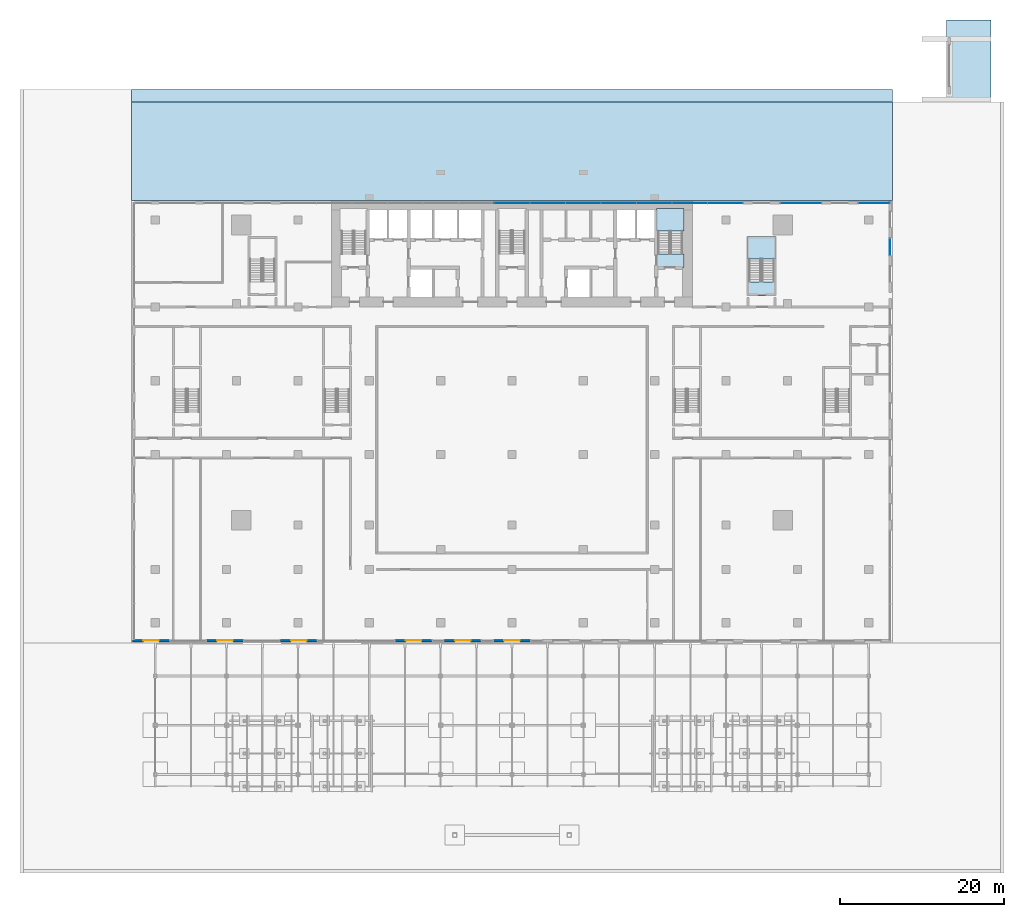
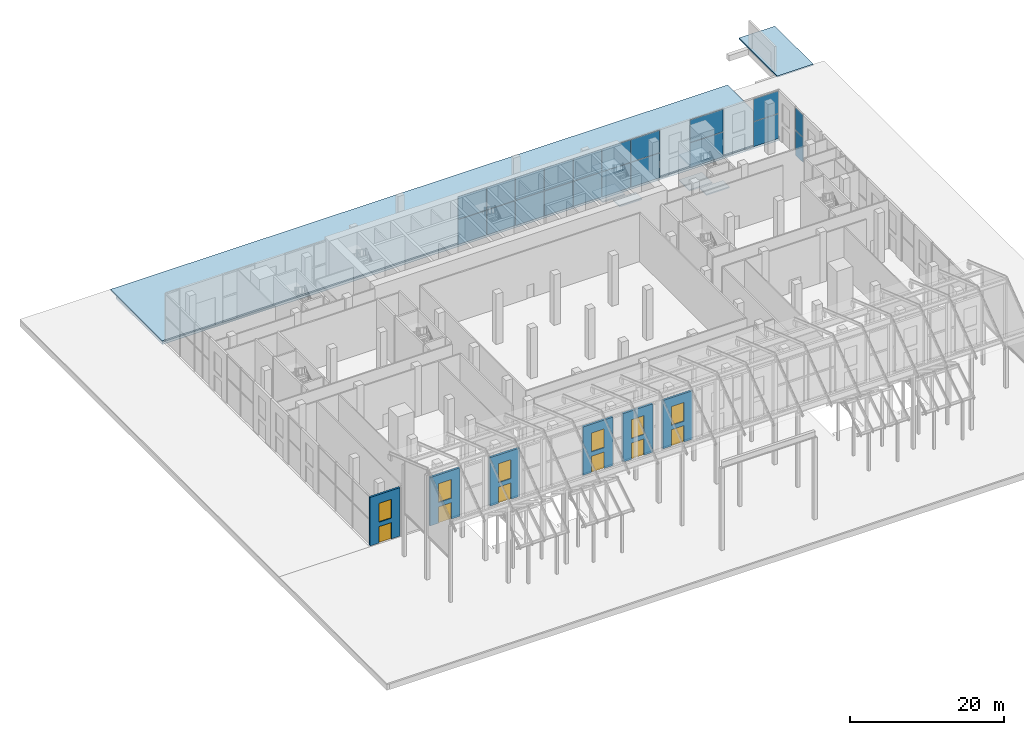
# One storey, part 20 of 31: 20 plates, 9 slabs, 6 doors, 6 walls, 6 windows, 12 openings, 6 elements without a shape of their own.
"""IFC4 building model written with IfcOpenShell, lengths in metres."""

import ifcopenshell
import ifcopenshell.guid

model = None  # the IFC model being written
_history = None  # IfcOwnerHistory: only IFC2X3 demands one
_inside = {}  # id of a spatial element -> (the spatial element, [elements in it])
_under = {}  # id of a project, library or spatial element -> (it, [spatial elements below it])
_declared = {}  # id of a project -> (the project, [libraries it declares])
_typed = {}  # id of a type object -> (the type object, [elements of that type])
_made_of = {}  # id of a material, layer set ... -> (it, [elements and type objects made of it])


def new_model(schema):
    """Start an empty IFC model of exactly this schema.

    Asked for "IFC4X3", IfcOpenShell would pick the latest addendum, in which some entities
    have other attributes; the version numbers below select the first issue.
    IFC2X3 requires an IfcOwnerHistory on every rooted entity: one is made here for all.
    """
    global model, _history
    if schema == "IFC4X3":
        model = ifcopenshell.file(schema_version=(4, 3, 0, 0))
    else:
        model = ifcopenshell.file(schema=schema)
    _inside.clear()
    _under.clear()
    _declared.clear()
    _typed.clear()
    _made_of.clear()
    _history = None
    if model.schema == "IFC2X3":
        org = make("IfcOrganization", Name="unknown")
        user = make(
            "IfcPersonAndOrganization",
            ThePerson=make("IfcPerson", FamilyName="unknown"),
            TheOrganization=org,
        )
        app = make(
            "IfcApplication",
            ApplicationDeveloper=org,
            Version="unknown",
            ApplicationFullName="unknown",
            ApplicationIdentifier="unknown",
        )
        _history = make(
            "IfcOwnerHistory",
            OwningUser=user,
            OwningApplication=app,
            ChangeAction="ADDED",
            CreationDate=0,
        )
    return model


def make(cls, **values):
    """One entity of the class cls with the attributes given. An attribute that is None is left unset."""
    return model.create_entity(
        cls, **{name: value for name, value in values.items() if value is not None}
    )


def rooted(cls, **values):
    """An entity with a GlobalId (a new one), such as an element, a storey or a relation."""
    return make(cls, GlobalId=ifcopenshell.guid.new(), OwnerHistory=_history, **values)


def si_unit(unit_type, name, prefix=None):
    """IfcSIUnit, for example si_unit("LENGTHUNIT", "METRE", prefix="MILLI")."""
    return make("IfcSIUnit", UnitType=unit_type, Prefix=prefix, Name=name)


def assignment(units):
    """IfcUnitAssignment: the units of a project."""
    return None if units is None else make("IfcUnitAssignment", Units=units)


def point(xyz):
    """IfcCartesianPoint."""
    return None if xyz is None else make("IfcCartesianPoint", Coordinates=xyz)


def direction(xyz):
    """IfcDirection."""
    return None if xyz is None else make("IfcDirection", DirectionRatios=xyz)


def frame(location, z_axis=None, x_axis=None):
    """IfcAxis2Placement3D, a coordinate frame: its origin and axes. An axis left out is left unset."""
    return make(
        "IfcAxis2Placement3D",
        Location=point(location),
        Axis=direction(z_axis),
        RefDirection=direction(x_axis),
    )


def frame_2d(location, x_axis=None):
    """IfcAxis2Placement2D, a coordinate frame in the plane: its origin and x axis."""
    return make(
        "IfcAxis2Placement2D", Location=point(location), RefDirection=direction(x_axis)
    )


def origin():
    """The frame at (0, 0, 0) with its axes left unset."""
    return frame((0.0, 0.0, 0.0))


def origin_2d():
    """The frame at (0, 0) in the plane with its x axis left unset."""
    return frame_2d((0.0, 0.0))


def place(relative_to, where):
    """IfcLocalPlacement: puts the frame where relative to a parent placement (None: the world)."""
    return make(
        "IfcLocalPlacement", PlacementRelTo=relative_to, RelativePlacement=where
    )


def context(
    kind, dimensions, precision=None, world=None, true_north=None, identifier=None
):
    """IfcGeometricRepresentationContext, for example the 3D "Model" context."""
    return make(
        "IfcGeometricRepresentationContext",
        ContextIdentifier=identifier,
        ContextType=kind,
        CoordinateSpaceDimension=dimensions,
        Precision=precision,
        WorldCoordinateSystem=world,
        TrueNorth=true_north,
    )


def subcontext(parent, identifier, kind, view, scale=None):
    """IfcGeometricRepresentationSubContext, for example "Body" below "Model"."""
    return make(
        "IfcGeometricRepresentationSubContext",
        ContextIdentifier=identifier,
        ContextType=kind,
        ParentContext=parent,
        TargetScale=scale,
        TargetView=view,
    )


def project(units=None, contexts=None):
    """IfcProject with its units and contexts."""
    return rooted(
        "IfcProject",
        Name="project",
        RepresentationContexts=contexts,
        UnitsInContext=assignment(units),
    )


def spatial(cls, under=None, at=None, **own):
    """A site, building, storey or space (cls), placed at a placement, below another one or the project."""
    s = rooted(cls, ObjectPlacement=at, **own)
    if under is not None:
        _under.setdefault(under.id(), (under, []))[1].append(s)
    return s


def polyline(points):
    """IfcPolyline through the points."""
    return make("IfcPolyline", Points=[point(p) for p in points])


def profile(cls, at=None, kind="AREA", **sizes):
    """A parametric profile (cls). Its sizes go by their IFC names, for example OverallWidth=200.0."""
    return make(cls, ProfileType=kind, Position=at, **sizes)


def rectangle(**sizes):
    """IfcRectangleProfileDef."""
    return profile("IfcRectangleProfileDef", **sizes)


def outline(outer, holes=None, kind="AREA"):
    """IfcArbitraryClosedProfileDef: a profile drawn as a closed curve; with holes, ...WithVoids."""
    if holes is None:
        return make("IfcArbitraryClosedProfileDef", ProfileType=kind, OuterCurve=outer)
    return make(
        "IfcArbitraryProfileDefWithVoids",
        ProfileType=kind,
        OuterCurve=outer,
        InnerCurves=holes,
    )


def extrude(swept, where, along, depth):
    """IfcExtrudedAreaSolid: the profile swept, set in the frame where, extruded along a direction by depth."""
    return make(
        "IfcExtrudedAreaSolid",
        SweptArea=swept,
        Position=where,
        ExtrudedDirection=direction(along),
        Depth=depth,
    )


def shape(context_of_items, identifier, shape_type, items):
    """IfcShapeRepresentation: the items that make up one representation, for example the "Body"."""
    return make(
        "IfcShapeRepresentation",
        ContextOfItems=context_of_items,
        RepresentationIdentifier=identifier,
        RepresentationType=shape_type,
        Items=items,
    )


def material(Name=None, Category=None):
    """IfcMaterial."""
    return make("IfcMaterial", Name=Name, Category=Category)


def layer(
    of_material, thickness, ventilated=None, Name=None, Category=None, Priority=None
):
    """IfcMaterialLayer: one layer of a wall or slab, of a material (None: an air gap)."""
    return make(
        "IfcMaterialLayer",
        Material=of_material,
        LayerThickness=thickness,
        IsVentilated=ventilated,
        Name=Name,
        Category=Category,
        Priority=Priority,
    )


def layer_set(layers, Name=None):
    """IfcMaterialLayerSet."""
    return make("IfcMaterialLayerSet", MaterialLayers=layers, LayerSetName=Name)


def layer_usage(for_layer_set, set_direction, sense, offset, extent=None):
    """IfcMaterialLayerSetUsage: how a layer set lies in its element."""
    return make(
        "IfcMaterialLayerSetUsage",
        ForLayerSet=for_layer_set,
        LayerSetDirection=set_direction,
        DirectionSense=sense,
        OffsetFromReferenceLine=offset,
        ReferenceExtent=extent,
    )


def made_of(thing, what):
    """Note that an element or type object is made of a material, layer set ...; save() writes the relation."""
    if what is not None:
        _made_of.setdefault(what.id(), (what, []))[1].append(thing)
    return thing


def type_object(cls, material=None, **own):
    """A type object (cls), such as IfcWallType, which elements share."""
    return made_of(rooted(cls, **own), material)


def element(
    cls,
    number,
    at=None,
    inside=None,
    cuts=None,
    type_object=None,
    material=None,
    context=None,
    identifier="Body",
    shape_type=None,
    held_by="IfcProductDefinitionShape",
    body=None,
    shapes=None,
    **own,
):
    """One element of the class cls, such as IfcWall. Its Tag is "e" and its number.

    at: its placement. inside: the storey or other place that contains it. cuts: it is an
    opening in that element (IfcRelVoidsElement). A single representation is given by context,
    identifier, shape_type and body (its items); several are given by shapes. held_by: the class
    of the entity that holds the representations. save() writes the other relations.
    """
    e = rooted(cls, Tag="e%d" % number, ObjectPlacement=at, **own)
    if body is not None:
        shapes = [shape(context, identifier, shape_type, body)]
    if shapes is not None:
        e.Representation = make(held_by, Representations=shapes)
    if inside is not None:
        _inside.setdefault(inside.id(), (inside, []))[1].append(e)
    if cuts is not None:
        rooted(
            "IfcRelVoidsElement", RelatingBuildingElement=cuts, RelatedOpeningElement=e
        )
    if type_object is not None:
        _typed.setdefault(type_object.id(), (type_object, []))[1].append(e)
    return made_of(e, material)


def fill(opening, filler):
    """IfcRelFillsElement: the door or window that sits in an opening."""
    return rooted(
        "IfcRelFillsElement",
        RelatingOpeningElement=opening,
        RelatedBuildingElement=filler,
    )


def aggregate(whole, parts):
    """IfcRelAggregates: a whole, such as a stair, and the parts it consists of."""
    return rooted("IfcRelAggregates", RelatingObject=whole, RelatedObjects=parts)


def save(model, path):
    """Write the relations noted so far, then the file.

    IfcRelAggregates (storeys below a building ...), IfcRelContainedInSpatialStructure (elements
    in a storey), IfcRelDefinesByType, IfcRelAssociatesMaterial and IfcRelDeclares: one each for
    every whole, place, type object, material and project.
    """
    for whole, parts in _under.values():
        aggregate(whole, parts)
    for where, things in _inside.values():
        rooted(
            "IfcRelContainedInSpatialStructure",
            RelatedElements=things,
            RelatingStructure=where,
        )
    for kind, things in _typed.values():
        rooted("IfcRelDefinesByType", RelatedObjects=things, RelatingType=kind)
    for what, things in _made_of.values():
        rooted("IfcRelAssociatesMaterial", RelatedObjects=things, RelatingMaterial=what)
    for by, libraries in _declared.values():
        rooted("IfcRelDeclares", RelatingContext=by, RelatedDefinitions=libraries)
    model.write(path)


model = new_model("IFC4")

# Units and contexts
model_context = context("Model", 3, precision=1e-05, world=origin(), true_north=direction((0.0, 1.0)))
body_context = subcontext(model_context, "Body", "Model", "MODEL_VIEW")
ifc_project = project(units=[si_unit("LENGTHUNIT", "METRE"), si_unit("AREAUNIT", "SQUARE_METRE"), si_unit("VOLUMEUNIT", "CUBIC_METRE"), si_unit("PLANEANGLEUNIT", "RADIAN"), si_unit("MASSUNIT", "GRAM", prefix="KILO")], contexts=[model_context])

# Site, building, storey
site_placement = place(None, origin())
site = spatial("IfcSite", under=ifc_project, at=site_placement, CompositionType="ELEMENT")
building_placement = place(site_placement, origin())
building = spatial("IfcBuilding", under=site, at=building_placement, Name="Bicima Exchange Tower", CompositionType="ELEMENT")
storey_placement = place(building_placement, origin())
storey = spatial("IfcBuildingStorey", under=building, at=storey_placement, Name="L00", CompositionType="ELEMENT", Elevation=0.0)

# Slabs
ifc_material_1 = material(Name="Granite paving", Category="masonry")
ifc_layer_1 = layer(ifc_material_1, 0.2)
ifc_layer_set_1 = layer_set([ifc_layer_1], Name="Granite paving")
ifc_layer_usage_1 = layer_usage(ifc_layer_set_1, "AXIS3", "POSITIVE", 0.0)
slab_type_1 = type_object("IfcSlabType", Name="Granite paving 200", PredefinedType="USERDEFINED", material=ifc_layer_set_1)
slab_1_placement = place(storey_placement, frame((0.0, 0.0, -0.199951171875)))
element("IfcSlab", 1, at=slab_1_placement, inside=storey, type_object=slab_type_1, material=ifc_layer_usage_1, Name="Paving north", ObjectType="PAVING", PredefinedType="USERDEFINED", context=body_context, shape_type="SweptSolid", body=[
    extrude(outline(polyline([(46.39990234375, 0.0), (46.39990234375, 13.5), (-46.39990234375, 13.5), (-46.39990234375, 0.0), (46.39990234375, 0.0)])), origin(), (0.0, 0.0, 1.0), 0.199951171875),
])
slab_2_placement = place(storey_placement, frame((0.0, 0.0, -0.199951171875)))
element("IfcSlab", 2, at=slab_2_placement, inside=storey, type_object=slab_type_1, material=ifc_layer_usage_1, Name="Paving vehicle", ObjectType="PAVING", PredefinedType="USERDEFINED", context=body_context, shape_type="SweptSolid", body=[
    extrude(outline(polyline([(58.39990234375, 12.0), (58.39990234375, 22.0), (53.0, 22.0), (53.0, 12.0), (58.39990234375, 12.0)])), origin(), (0.0, 0.0, 1.0), 0.199951171875),
])

# Curtain wall, plates
ifc_material_2 = material(Name="Anodised bronze aluminium", Category="aluminium")
curtain_wall_type = type_object("IfcCurtainWallType", Name="Lobby glazing", PredefinedType="NOTDEFINED", material=ifc_material_2)
curtain_wall_1_placement = place(storey_placement, origin())
curtain_wall_1 = element("IfcCurtainWall", 3, at=curtain_wall_1_placement, inside=storey, type_object=curtain_wall_type, Name="Podium glazing L00 east 9", PredefinedType="NOTDEFINED")
ifc_material_3 = material(Name="Clear low-iron glass", Category="glass")
ifc_layer_2 = layer(ifc_material_3, 0.035888671875)
ifc_layer_set_2 = layer_set([ifc_layer_2], Name="Clear low-iron glass")
plate_type = type_object("IfcPlateType", Name="Lobby glazing glass panel 36", PredefinedType="CURTAIN_PANEL", material=ifc_layer_set_2)
plate_1_placement = place(storey_placement, frame((46.10009765625, -5.675048828125, 0.0), z_axis=(0.0, 0.0, 1.0), x_axis=(0.0, 1.0, 0.0)))
plate_1 = element("IfcPlate", 4, at=plate_1_placement, type_object=plate_type, Name="Lobby glazing panel 1.1", PredefinedType="CURTAIN_PANEL", context=body_context, shape_type="SweptSolid", body=[
    extrude(rectangle(XDim=2.030029296875, YDim=0.035888671875, at=origin_2d()), origin(), (0.0, 0.0, 1.0), 3.929931640625),
])
plate_2_placement = place(storey_placement, frame((46.10009765625, -5.675048828125, 4.0), z_axis=(0.0, 0.0, 1.0), x_axis=(0.0, 1.0, 0.0)))
plate_2 = element("IfcPlate", 5, at=plate_2_placement, type_object=plate_type, Name="Lobby glazing panel 1.2", PredefinedType="CURTAIN_PANEL", context=body_context, shape_type="SweptSolid", body=[
    extrude(rectangle(XDim=2.030029296875, YDim=0.035888671875, at=origin_2d()), origin(), (0.0, 0.0, 1.0), 3.56005859375),
])
aggregate(curtain_wall_1, [plate_1, plate_2])

curtain_wall_2_placement = place(storey_placement, origin())
curtain_wall_2 = element("IfcCurtainWall", 6, at=curtain_wall_2_placement, inside=storey, type_object=curtain_wall_type, Name="Podium glazing L00 north 1", PredefinedType="NOTDEFINED")
plate_3_placement = place(storey_placement, frame((44.175048828125, -0.300048828125, 0.0), z_axis=(0.0, 0.0, 1.0), x_axis=(-1.0, 0.0, 0.0)))
plate_3 = element("IfcPlate", 7, at=plate_3_placement, type_object=plate_type, Name="Lobby glazing panel 1.1", PredefinedType="CURTAIN_PANEL", context=body_context, shape_type="SweptSolid", body=[
    extrude(rectangle(XDim=3.72998046875, YDim=0.035888671875, at=origin_2d()), origin(), (0.0, 0.0, 1.0), 3.929931640625),
])
plate_4_placement = place(storey_placement, frame((44.175048828125, -0.300048828125, 4.0), z_axis=(0.0, 0.0, 1.0), x_axis=(-1.0, 0.0, 0.0)))
plate_4 = element("IfcPlate", 8, at=plate_4_placement, type_object=plate_type, Name="Lobby glazing panel 1.2", PredefinedType="CURTAIN_PANEL", context=body_context, shape_type="SweptSolid", body=[
    extrude(rectangle(XDim=3.72998046875, YDim=0.035888671875, at=origin_2d()), origin(), (0.0, 0.0, 1.0), 3.56005859375),
])
aggregate(curtain_wall_2, [plate_3, plate_4])

curtain_wall_3_placement = place(storey_placement, origin())
curtain_wall_3 = element("IfcCurtainWall", 9, at=curtain_wall_3_placement, inside=storey, type_object=curtain_wall_type, Name="Podium glazing L00 north 3", PredefinedType="NOTDEFINED")
plate_5_placement = place(storey_placement, frame((35.22509765625, -0.300048828125, 0.0), z_axis=(0.0, 0.0, 1.0), x_axis=(-1.0, 0.0, 0.0)))
plate_5 = element("IfcPlate", 10, at=plate_5_placement, type_object=plate_type, Name="Lobby glazing panel 1.1", PredefinedType="CURTAIN_PANEL", context=body_context, shape_type="SweptSolid", body=[
    extrude(rectangle(XDim=4.929931640625, YDim=0.035888671875, at=origin_2d()), origin(), (0.0, 0.0, 1.0), 3.929931640625),
])
plate_6_placement = place(storey_placement, frame((35.22509765625, -0.300048828125, 4.0), z_axis=(0.0, 0.0, 1.0), x_axis=(-1.0, 0.0, 0.0)))
plate_6 = element("IfcPlate", 11, at=plate_6_placement, type_object=plate_type, Name="Lobby glazing panel 1.2", PredefinedType="CURTAIN_PANEL", context=body_context, shape_type="SweptSolid", body=[
    extrude(rectangle(XDim=4.929931640625, YDim=0.035888671875, at=origin_2d()), origin(), (0.0, 0.0, 1.0), 3.56005859375),
])
aggregate(curtain_wall_3, [plate_5, plate_6])

curtain_wall_4_placement = place(storey_placement, origin())
curtain_wall_4 = element("IfcCurtainWall", 12, at=curtain_wall_4_placement, inside=storey, type_object=curtain_wall_type, Name="Podium glazing L00 north 5", PredefinedType="NOTDEFINED")
plate_7_placement = place(storey_placement, frame((26.003173828125, -0.300048828125, 0.0), z_axis=(0.0, 0.0, 1.0), x_axis=(-1.0, 0.0, 0.0)))
plate_7 = element("IfcPlate", 13, at=plate_7_placement, type_object=plate_type, Name="Lobby glazing panel 1.1", PredefinedType="CURTAIN_PANEL", context=body_context, shape_type="SweptSolid", body=[
    extrude(rectangle(XDim=4.273681640625, YDim=0.035888671875, at=origin_2d()), origin(), (0.0, 0.0, 1.0), 3.929931640625),
])
plate_8_placement = place(storey_placement, frame((26.003173828125, -0.300048828125, 4.0), z_axis=(0.0, 0.0, 1.0), x_axis=(-1.0, 0.0, 0.0)))
plate_8 = element("IfcPlate", 14, at=plate_8_placement, type_object=plate_type, Name="Lobby glazing panel 1.2", PredefinedType="CURTAIN_PANEL", context=body_context, shape_type="SweptSolid", body=[
    extrude(rectangle(XDim=4.273681640625, YDim=0.035888671875, at=origin_2d()), origin(), (0.0, 0.0, 1.0), 3.56005859375),
])
plate_9_placement = place(storey_placement, frame((21.669189453125, -0.300048828125, 0.0), z_axis=(0.0, 0.0, 1.0), x_axis=(-1.0, 0.0, 0.0)))
plate_9 = element("IfcPlate", 15, at=plate_9_placement, type_object=plate_type, Name="Lobby glazing panel 2.1", PredefinedType="CURTAIN_PANEL", context=body_context, shape_type="SweptSolid", body=[
    extrude(rectangle(XDim=4.273681640625, YDim=0.035888671875, at=origin_2d()), origin(), (0.0, 0.0, 1.0), 3.929931640625),
])
plate_10_placement = place(storey_placement, frame((21.669189453125, -0.300048828125, 4.0), z_axis=(0.0, 0.0, 1.0), x_axis=(-1.0, 0.0, 0.0)))
plate_10 = element("IfcPlate", 16, at=plate_10_placement, type_object=plate_type, Name="Lobby glazing panel 2.2", PredefinedType="CURTAIN_PANEL", context=body_context, shape_type="SweptSolid", body=[
    extrude(rectangle(XDim=4.273681640625, YDim=0.035888671875, at=origin_2d()), origin(), (0.0, 0.0, 1.0), 3.56005859375),
])
plate_11_placement = place(storey_placement, frame((17.33544921875, -0.300048828125, 0.0), z_axis=(0.0, 0.0, 1.0), x_axis=(-1.0, 0.0, 0.0)))
plate_11 = element("IfcPlate", 17, at=plate_11_placement, type_object=plate_type, Name="Lobby glazing panel 3.1", PredefinedType="CURTAIN_PANEL", context=body_context, shape_type="SweptSolid", body=[
    extrude(rectangle(XDim=4.273681640625, YDim=0.035888671875, at=origin_2d()), origin(), (0.0, 0.0, 1.0), 3.929931640625),
])
plate_12_placement = place(storey_placement, frame((17.33544921875, -0.300048828125, 4.0), z_axis=(0.0, 0.0, 1.0), x_axis=(-1.0, 0.0, 0.0)))
plate_12 = element("IfcPlate", 18, at=plate_12_placement, type_object=plate_type, Name="Lobby glazing panel 3.2", PredefinedType="CURTAIN_PANEL", context=body_context, shape_type="SweptSolid", body=[
    extrude(rectangle(XDim=4.273681640625, YDim=0.035888671875, at=origin_2d()), origin(), (0.0, 0.0, 1.0), 3.56005859375),
])
plate_13_placement = place(storey_placement, frame((13.00146484375, -0.300048828125, 0.0), z_axis=(0.0, 0.0, 1.0), x_axis=(-1.0, 0.0, 0.0)))
plate_13 = element("IfcPlate", 19, at=plate_13_placement, type_object=plate_type, Name="Lobby glazing panel 4.1", PredefinedType="CURTAIN_PANEL", context=body_context, shape_type="SweptSolid", body=[
    extrude(rectangle(XDim=4.273681640625, YDim=0.035888671875, at=origin_2d()), origin(), (0.0, 0.0, 1.0), 3.929931640625),
])
plate_14_placement = place(storey_placement, frame((13.00146484375, -0.300048828125, 4.0), z_axis=(0.0, 0.0, 1.0), x_axis=(-1.0, 0.0, 0.0)))
plate_14 = element("IfcPlate", 20, at=plate_14_placement, type_object=plate_type, Name="Lobby glazing panel 4.2", PredefinedType="CURTAIN_PANEL", context=body_context, shape_type="SweptSolid", body=[
    extrude(rectangle(XDim=4.273681640625, YDim=0.035888671875, at=origin_2d()), origin(), (0.0, 0.0, 1.0), 3.56005859375),
])
plate_15_placement = place(storey_placement, frame((8.667724609375, -0.300048828125, 0.0), z_axis=(0.0, 0.0, 1.0), x_axis=(-1.0, 0.0, 0.0)))
plate_15 = element("IfcPlate", 21, at=plate_15_placement, type_object=plate_type, Name="Lobby glazing panel 5.1", PredefinedType="CURTAIN_PANEL", context=body_context, shape_type="SweptSolid", body=[
    extrude(rectangle(XDim=4.273681640625, YDim=0.035888671875, at=origin_2d()), origin(), (0.0, 0.0, 1.0), 3.929931640625),
])
plate_16_placement = place(storey_placement, frame((8.667724609375, -0.300048828125, 4.0), z_axis=(0.0, 0.0, 1.0), x_axis=(-1.0, 0.0, 0.0)))
plate_16 = element("IfcPlate", 22, at=plate_16_placement, type_object=plate_type, Name="Lobby glazing panel 5.2", PredefinedType="CURTAIN_PANEL", context=body_context, shape_type="SweptSolid", body=[
    extrude(rectangle(XDim=4.273681640625, YDim=0.035888671875, at=origin_2d()), origin(), (0.0, 0.0, 1.0), 3.56005859375),
])
plate_17_placement = place(storey_placement, frame((4.333740234375, -0.300048828125, 0.0), z_axis=(0.0, 0.0, 1.0), x_axis=(-1.0, 0.0, 0.0)))
plate_17 = element("IfcPlate", 23, at=plate_17_placement, type_object=plate_type, Name="Lobby glazing panel 6.1", PredefinedType="CURTAIN_PANEL", context=body_context, shape_type="SweptSolid", body=[
    extrude(rectangle(XDim=4.273681640625, YDim=0.035888671875, at=origin_2d()), origin(), (0.0, 0.0, 1.0), 3.929931640625),
])
plate_18_placement = place(storey_placement, frame((4.333740234375, -0.300048828125, 4.0), z_axis=(0.0, 0.0, 1.0), x_axis=(-1.0, 0.0, 0.0)))
plate_18 = element("IfcPlate", 24, at=plate_18_placement, type_object=plate_type, Name="Lobby glazing panel 6.2", PredefinedType="CURTAIN_PANEL", context=body_context, shape_type="SweptSolid", body=[
    extrude(rectangle(XDim=4.273681640625, YDim=0.035888671875, at=origin_2d()), origin(), (0.0, 0.0, 1.0), 3.56005859375),
])
plate_19_placement = place(storey_placement, frame((0.0, -0.300048828125, 0.0), z_axis=(0.0, 0.0, 1.0), x_axis=(-1.0, 0.0, 0.0)))
plate_19 = element("IfcPlate", 25, at=plate_19_placement, type_object=plate_type, Name="Lobby glazing panel 7.1", PredefinedType="CURTAIN_PANEL", context=body_context, shape_type="SweptSolid", body=[
    extrude(rectangle(XDim=4.273681640625, YDim=0.035888671875, at=origin_2d()), origin(), (0.0, 0.0, 1.0), 3.929931640625),
])
plate_20_placement = place(storey_placement, frame((0.0, -0.300048828125, 4.0), z_axis=(0.0, 0.0, 1.0), x_axis=(-1.0, 0.0, 0.0)))
plate_20 = element("IfcPlate", 26, at=plate_20_placement, type_object=plate_type, Name="Lobby glazing panel 7.2", PredefinedType="CURTAIN_PANEL", context=body_context, shape_type="SweptSolid", body=[
    extrude(rectangle(XDim=4.273681640625, YDim=0.035888671875, at=origin_2d()), origin(), (0.0, 0.0, 1.0), 3.56005859375),
])
aggregate(curtain_wall_4, [plate_7, plate_8, plate_9, plate_10, plate_11, plate_12, plate_13, plate_14, plate_15, plate_16, plate_17, plate_18, plate_19, plate_20])

# Slab
ifc_material_4 = material(Name="Concrete C40/50", Category="concrete")
ifc_layer_3 = layer(ifc_material_4, 0.39990234375)
ifc_layer_set_3 = layer_set([ifc_layer_3], Name="Concrete C40/50")
slab_type_2 = type_object("IfcSlabType", Name="Reinforced concrete plaza deck 400", PredefinedType="FLOOR", material=ifc_layer_set_3)
slab_3_placement = place(storey_placement, frame((0.0, 0.0, -0.60009765625)))
element("IfcSlab", 27, at=slab_3_placement, inside=storey, type_object=slab_type_2, Name="Plaza deck north", PredefinedType="FLOOR", context=body_context, shape_type="SweptSolid", body=[
    extrude(outline(polyline([(-46.39990234375, 0.0), (46.39990234375, 0.0), (46.39990234375, 12.0), (-46.39990234375, 12.0), (-46.39990234375, 0.0)])), origin(), (0.0, 0.0, 1.0), 0.400146484375),
])

# Stair, slabs
ifc_material_5 = material(Name="Concrete C50/60", Category="concrete")
stair_type = type_object("IfcStairType", Name="Exit stair", PredefinedType="HALF_TURN_STAIR", material=ifc_material_5)
stair_1_placement = place(storey_placement, origin())
stair_1 = element("IfcStair", 28, at=stair_1_placement, inside=storey, type_object=stair_type, Name="L00 East exit stair", PredefinedType="HALF_TURN_STAIR")
ifc_layer_4 = layer(ifc_material_5, 0.199951171875)
ifc_layer_set_4 = layer_set([ifc_layer_4], Name="Concrete C50/60")
slab_type_3 = type_object("IfcSlabType", Name="Stair landing slab", PredefinedType="LANDING", material=ifc_layer_set_4)
slab_4_placement = place(storey_placement, frame((0.0, 0.0, 1.800048828125)))
slab_4 = element("IfcSlab", 29, at=slab_4_placement, type_object=slab_type_3, Name="ST-E landing 1", PredefinedType="LANDING", context=body_context, shape_type="SweptSolid", body=[
    extrude(outline(polyline([(21.0, -3.75), (21.0, -1.0), (17.60009765625, -1.0), (17.60009765625, -3.75), (21.0, -3.75)])), origin(), (0.0, 0.0, 1.0), 0.199951171875),
])
slab_5_placement = place(storey_placement, frame((0.0, 0.0, 3.800048828125)))
slab_5 = element("IfcSlab", 30, at=slab_5_placement, type_object=slab_type_3, Name="ST-E landing 2", PredefinedType="LANDING", context=body_context, shape_type="SweptSolid", body=[
    extrude(outline(polyline([(21.0, -8.199951171875), (21.0, -6.550048828125), (17.60009765625, -6.550048828125), (17.60009765625, -8.199951171875), (21.0, -8.199951171875)])), origin(), (0.0, 0.0, 1.0), 0.199951171875),
])
slab_6_placement = place(storey_placement, frame((0.0, 0.0, 5.800048828125)))
slab_6 = element("IfcSlab", 31, at=slab_6_placement, type_object=slab_type_3, Name="ST-E landing 3", PredefinedType="LANDING", context=body_context, shape_type="SweptSolid", body=[
    extrude(outline(polyline([(21.0, -3.75), (21.0, -1.0), (17.60009765625, -1.0), (17.60009765625, -3.75), (21.0, -3.75)])), origin(), (0.0, 0.0, 1.0), 0.199951171875),
])
aggregate(stair_1, [slab_4, slab_5, slab_6])

stair_2_placement = place(storey_placement, origin())
stair_2 = element("IfcStair", 32, at=stair_2_placement, inside=storey, type_object=stair_type, Name="L00 East end exit stair", PredefinedType="HALF_TURN_STAIR")
slab_7_placement = place(storey_placement, frame((0.0, 0.0, 1.800048828125)))
slab_7 = element("IfcSlab", 33, at=slab_7_placement, type_object=slab_type_3, Name="ST-EE landing 1", PredefinedType="LANDING", context=body_context, shape_type="SweptSolid", body=[
    extrude(outline(polyline([(32.175048828125, -7.125), (32.175048828125, -4.425048828125), (28.72509765625, -4.425048828125), (28.72509765625, -7.125), (32.175048828125, -7.125)])), origin(), (0.0, 0.0, 1.0), 0.199951171875),
])
slab_8_placement = place(storey_placement, frame((0.0, 0.0, 3.800048828125)))
slab_8 = element("IfcSlab", 34, at=slab_8_placement, type_object=slab_type_3, Name="ST-EE landing 2", PredefinedType="LANDING", context=body_context, shape_type="SweptSolid", body=[
    extrude(outline(polyline([(32.175048828125, -11.574951171875), (32.175048828125, -9.925048828125), (28.72509765625, -9.925048828125), (28.72509765625, -11.574951171875), (32.175048828125, -11.574951171875)])), origin(), (0.0, 0.0, 1.0), 0.199951171875),
])
slab_9_placement = place(storey_placement, frame((0.0, 0.0, 5.800048828125)))
slab_9 = element("IfcSlab", 35, at=slab_9_placement, type_object=slab_type_3, Name="ST-EE landing 3", PredefinedType="LANDING", context=body_context, shape_type="SweptSolid", body=[
    extrude(outline(polyline([(32.175048828125, -7.125), (32.175048828125, -4.425048828125), (28.72509765625, -4.425048828125), (28.72509765625, -7.125), (32.175048828125, -7.125)])), origin(), (0.0, 0.0, 1.0), 0.199951171875),
])
aggregate(stair_2, [slab_7, slab_8, slab_9])

# Wall, openings, window, door
ifc_layer_5 = layer(ifc_material_4, 0.3)
ifc_layer_set_5 = layer_set([ifc_layer_5], Name="Concrete C40/50")
ifc_layer_usage_2 = layer_usage(ifc_layer_set_5, "AXIS2", "POSITIVE", -0.15)
wall_type = type_object("IfcWallType", Name="Entrance frame wall 300", PredefinedType="STANDARD", material=ifc_layer_set_5)
wall_1_placement = place(storey_placement, frame((-41.75, -53.699951171875, 0.0), z_axis=(0.0, 0.0, 1.0), x_axis=(-1.0, 0.0, 0.0)))
wall_1 = element("IfcWall", 36, at=wall_1_placement, inside=storey, type_object=wall_type, material=ifc_layer_usage_2, Name="Entrance frame wall L00 south 1", PredefinedType="STANDARD", context=body_context, shape_type="SweptSolid", body=[
    extrude(rectangle(XDim=4.5, YDim=0.300048828125, at=frame_2d((2.25, 0.0))), origin(), (0.0, 0.0, 1.0), 7.699951171875),
])
opening_1_placement = place(wall_1_placement, frame((1.300048828125, 0.0, 0.0)))
opening_1 = element("IfcOpeningElement", 37, at=opening_1_placement, cuts=wall_1, Name="Opening DX2", PredefinedType="OPENING", context=body_context, shape_type="SweptSolid", body=[
    extrude(rectangle(XDim=1.89990234375, YDim=2.60009765625, at=frame_2d((0.949951171875, 1.300048828125))), frame((0.0, 0.162109375, 0.0), z_axis=(0.0, -1.0, 0.0), x_axis=(1.0, 0.0, 0.0)), (0.0, 0.0, 1.0), 0.323974609375),
])
opening_2_placement = place(wall_1_placement, frame((1.300048828125, 0.0, 3.300048828125)))
opening_2 = element("IfcOpeningElement", 38, at=opening_2_placement, cuts=wall_1, Name="Opening WX1", PredefinedType="OPENING", context=body_context, shape_type="SweptSolid", body=[
    extrude(rectangle(XDim=1.89990234375, YDim=3.0, at=frame_2d((0.949951171875, 1.5))), frame((0.0, 0.162109375, 0.0), z_axis=(0.0, -1.0, 0.0), x_axis=(1.0, 0.0, 0.0)), (0.0, 0.0, 1.0), 0.323974609375),
])
window_type = type_object("IfcWindowType", Name="Entrance transom light 1900 x 3000", PartitioningType="SINGLE_PANEL", PredefinedType="WINDOW", material=ifc_material_3)
window_1_placement = place(opening_2_placement, origin())
window_1 = element("IfcWindow", 39, at=window_1_placement, inside=storey, type_object=window_type, Name="Entrance transom light L00 south 1", OverallHeight=3.0, OverallWidth=1.89990234375, PartitioningType="SINGLE_PANEL", PredefinedType="WINDOW", context=body_context, shape_type="SweptSolid", body=[
    extrude(rectangle(XDim=1.89990234375, YDim=3.0, at=frame_2d((0.949951171875, 1.5))), frame((0.0, 0.030029296875, 0.0), z_axis=(0.0, -1.0, 0.0), x_axis=(1.0, 0.0, 0.0)), (0.0, 0.0, 1.0), 0.06005859375),
])
fill(opening_2, window_1)
ifc_material_6 = material(Name="Anodised bronze aluminium and bonded safety glass", Category="aluminium")
door_type = type_object("IfcDoorType", Name="Exit door, double leaf 1900 x 2600", OperationType="DOUBLE_DOOR_DOUBLE_SWING", PredefinedType="DOOR", material=ifc_material_6)
door_1_placement = place(opening_1_placement, origin())
door_1 = element("IfcDoor", 40, at=door_1_placement, inside=storey, type_object=door_type, Name="Exit door L00 south 1", OperationType="SINGLE_SWING_LEFT", OverallHeight=2.60009765625, OverallWidth=1.89990234375, PredefinedType="DOOR", context=body_context, shape_type="SweptSolid", body=[
    extrude(rectangle(XDim=1.89990234375, YDim=2.60009765625, at=frame_2d((0.949951171875, 1.300048828125))), frame((0.0, 0.02490234375, 0.0), z_axis=(0.0, -1.0, 0.0), x_axis=(1.0, 0.0, 0.0)), (0.0, 0.0, 1.0), 0.050048828125),
])
fill(opening_1, door_1)

wall_2_placement = place(storey_placement, frame((-32.75, -53.699951171875, 0.0), z_axis=(0.0, 0.0, 1.0), x_axis=(-1.0, 0.0, 0.0)))
wall_2 = element("IfcWall", 41, at=wall_2_placement, inside=storey, type_object=wall_type, material=ifc_layer_usage_2, Name="Entrance frame wall L00 south 3", PredefinedType="STANDARD", context=body_context, shape_type="SweptSolid", body=[
    extrude(rectangle(XDim=4.5, YDim=0.300048828125, at=frame_2d((2.25, 0.0))), origin(), (0.0, 0.0, 1.0), 7.699951171875),
])
opening_3_placement = place(wall_2_placement, frame((1.300048828125, 0.0, 0.0)))
opening_3 = element("IfcOpeningElement", 42, at=opening_3_placement, cuts=wall_2, Name="Opening DX2", PredefinedType="OPENING", context=body_context, shape_type="SweptSolid", body=[
    extrude(rectangle(XDim=1.89990234375, YDim=2.60009765625, at=frame_2d((0.949951171875, 1.300048828125))), frame((0.0, 0.162109375, 0.0), z_axis=(0.0, -1.0, 0.0), x_axis=(1.0, 0.0, 0.0)), (0.0, 0.0, 1.0), 0.323974609375),
])
opening_4_placement = place(wall_2_placement, frame((1.300048828125, 0.0, 3.300048828125)))
opening_4 = element("IfcOpeningElement", 43, at=opening_4_placement, cuts=wall_2, Name="Opening WX1", PredefinedType="OPENING", context=body_context, shape_type="SweptSolid", body=[
    extrude(rectangle(XDim=1.89990234375, YDim=3.0, at=frame_2d((0.949951171875, 1.5))), frame((0.0, 0.162109375, 0.0), z_axis=(0.0, -1.0, 0.0), x_axis=(1.0, 0.0, 0.0)), (0.0, 0.0, 1.0), 0.323974609375),
])
window_2_placement = place(opening_4_placement, origin())
window_2 = element("IfcWindow", 44, at=window_2_placement, inside=storey, type_object=window_type, Name="Entrance transom light L00 south 3", OverallHeight=3.0, OverallWidth=1.89990234375, PartitioningType="SINGLE_PANEL", PredefinedType="WINDOW", context=body_context, shape_type="SweptSolid", body=[
    extrude(rectangle(XDim=1.89990234375, YDim=3.0, at=frame_2d((0.949951171875, 1.5))), frame((0.0, 0.030029296875, 0.0), z_axis=(0.0, -1.0, 0.0), x_axis=(1.0, 0.0, 0.0)), (0.0, 0.0, 1.0), 0.06005859375),
])
fill(opening_4, window_2)
door_2_placement = place(opening_3_placement, origin())
door_2 = element("IfcDoor", 45, at=door_2_placement, inside=storey, type_object=door_type, Name="Exit door L00 south 3", OperationType="SINGLE_SWING_LEFT", OverallHeight=2.60009765625, OverallWidth=1.89990234375, PredefinedType="DOOR", context=body_context, shape_type="SweptSolid", body=[
    extrude(rectangle(XDim=1.89990234375, YDim=2.60009765625, at=frame_2d((0.949951171875, 1.300048828125))), frame((0.0, 0.02490234375, 0.0), z_axis=(0.0, -1.0, 0.0), x_axis=(1.0, 0.0, 0.0)), (0.0, 0.0, 1.0), 0.050048828125),
])
fill(opening_3, door_2)

wall_3_placement = place(storey_placement, frame((-23.75, -53.699951171875, 0.0), z_axis=(0.0, 0.0, 1.0), x_axis=(-1.0, 0.0, 0.0)))
wall_3 = element("IfcWall", 46, at=wall_3_placement, inside=storey, type_object=wall_type, material=ifc_layer_usage_2, Name="Entrance frame wall L00 south 5", PredefinedType="STANDARD", context=body_context, shape_type="SweptSolid", body=[
    extrude(rectangle(XDim=4.5, YDim=0.300048828125, at=frame_2d((2.25, 0.0))), origin(), (0.0, 0.0, 1.0), 7.699951171875),
])
opening_5_placement = place(wall_3_placement, frame((1.300048828125, 0.0, 0.0)))
opening_5 = element("IfcOpeningElement", 47, at=opening_5_placement, cuts=wall_3, Name="Opening DX2", PredefinedType="OPENING", context=body_context, shape_type="SweptSolid", body=[
    extrude(rectangle(XDim=1.89990234375, YDim=2.60009765625, at=frame_2d((0.949951171875, 1.300048828125))), frame((0.0, 0.162109375, 0.0), z_axis=(0.0, -1.0, 0.0), x_axis=(1.0, 0.0, 0.0)), (0.0, 0.0, 1.0), 0.323974609375),
])
opening_6_placement = place(wall_3_placement, frame((1.300048828125, 0.0, 3.300048828125)))
opening_6 = element("IfcOpeningElement", 48, at=opening_6_placement, cuts=wall_3, Name="Opening WX1", PredefinedType="OPENING", context=body_context, shape_type="SweptSolid", body=[
    extrude(rectangle(XDim=1.89990234375, YDim=3.0, at=frame_2d((0.949951171875, 1.5))), frame((0.0, 0.162109375, 0.0), z_axis=(0.0, -1.0, 0.0), x_axis=(1.0, 0.0, 0.0)), (0.0, 0.0, 1.0), 0.323974609375),
])
window_3_placement = place(opening_6_placement, origin())
window_3 = element("IfcWindow", 49, at=window_3_placement, inside=storey, type_object=window_type, Name="Entrance transom light L00 south 5", OverallHeight=3.0, OverallWidth=1.89990234375, PartitioningType="SINGLE_PANEL", PredefinedType="WINDOW", context=body_context, shape_type="SweptSolid", body=[
    extrude(rectangle(XDim=1.89990234375, YDim=3.0, at=frame_2d((0.949951171875, 1.5))), frame((0.0, 0.030029296875, 0.0), z_axis=(0.0, -1.0, 0.0), x_axis=(1.0, 0.0, 0.0)), (0.0, 0.0, 1.0), 0.06005859375),
])
fill(opening_6, window_3)
door_3_placement = place(opening_5_placement, origin())
door_3 = element("IfcDoor", 50, at=door_3_placement, inside=storey, type_object=door_type, Name="Exit door L00 south 5", OperationType="SINGLE_SWING_LEFT", OverallHeight=2.60009765625, OverallWidth=1.89990234375, PredefinedType="DOOR", context=body_context, shape_type="SweptSolid", body=[
    extrude(rectangle(XDim=1.89990234375, YDim=2.60009765625, at=frame_2d((0.949951171875, 1.300048828125))), frame((0.0, 0.02490234375, 0.0), z_axis=(0.0, -1.0, 0.0), x_axis=(1.0, 0.0, 0.0)), (0.0, 0.0, 1.0), 0.050048828125),
])
fill(opening_5, door_3)

wall_4_placement = place(storey_placement, frame((-9.75, -53.699951171875, 0.0), z_axis=(0.0, 0.0, 1.0), x_axis=(-1.0, 0.0, 0.0)))
wall_4 = element("IfcWall", 51, at=wall_4_placement, inside=storey, type_object=wall_type, material=ifc_layer_usage_2, Name="Entrance frame wall L00 south 7", PredefinedType="STANDARD", context=body_context, shape_type="SweptSolid", body=[
    extrude(rectangle(XDim=4.5, YDim=0.300048828125, at=frame_2d((2.25, 0.0))), origin(), (0.0, 0.0, 1.0), 7.699951171875),
])
opening_7_placement = place(wall_4_placement, frame((1.300048828125, 0.0, 0.0)))
opening_7 = element("IfcOpeningElement", 52, at=opening_7_placement, cuts=wall_4, Name="Opening DX2", PredefinedType="OPENING", context=body_context, shape_type="SweptSolid", body=[
    extrude(rectangle(XDim=1.89990234375, YDim=2.60009765625, at=frame_2d((0.949951171875, 1.300048828125))), frame((0.0, 0.162109375, 0.0), z_axis=(0.0, -1.0, 0.0), x_axis=(1.0, 0.0, 0.0)), (0.0, 0.0, 1.0), 0.323974609375),
])
opening_8_placement = place(wall_4_placement, frame((1.300048828125, 0.0, 3.300048828125)))
opening_8 = element("IfcOpeningElement", 53, at=opening_8_placement, cuts=wall_4, Name="Opening WX1", PredefinedType="OPENING", context=body_context, shape_type="SweptSolid", body=[
    extrude(rectangle(XDim=1.89990234375, YDim=3.0, at=frame_2d((0.949951171875, 1.5))), frame((0.0, 0.162109375, 0.0), z_axis=(0.0, -1.0, 0.0), x_axis=(1.0, 0.0, 0.0)), (0.0, 0.0, 1.0), 0.323974609375),
])
window_4_placement = place(opening_8_placement, origin())
window_4 = element("IfcWindow", 54, at=window_4_placement, inside=storey, type_object=window_type, Name="Entrance transom light L00 south 7", OverallHeight=3.0, OverallWidth=1.89990234375, PartitioningType="SINGLE_PANEL", PredefinedType="WINDOW", context=body_context, shape_type="SweptSolid", body=[
    extrude(rectangle(XDim=1.89990234375, YDim=3.0, at=frame_2d((0.949951171875, 1.5))), frame((0.0, 0.030029296875, 0.0), z_axis=(0.0, -1.0, 0.0), x_axis=(1.0, 0.0, 0.0)), (0.0, 0.0, 1.0), 0.06005859375),
])
fill(opening_8, window_4)
door_4_placement = place(opening_7_placement, origin())
door_4 = element("IfcDoor", 55, at=door_4_placement, inside=storey, type_object=door_type, Name="Exit door L00 south 7", OperationType="SINGLE_SWING_LEFT", OverallHeight=2.60009765625, OverallWidth=1.89990234375, PredefinedType="DOOR", context=body_context, shape_type="SweptSolid", body=[
    extrude(rectangle(XDim=1.89990234375, YDim=2.60009765625, at=frame_2d((0.949951171875, 1.300048828125))), frame((0.0, 0.02490234375, 0.0), z_axis=(0.0, -1.0, 0.0), x_axis=(1.0, 0.0, 0.0)), (0.0, 0.0, 1.0), 0.050048828125),
])
fill(opening_7, door_4)

wall_5_placement = place(storey_placement, frame((-3.75, -53.699951171875, 0.0), z_axis=(0.0, 0.0, 1.0), x_axis=(-1.0, 0.0, 0.0)))
wall_5 = element("IfcWall", 56, at=wall_5_placement, inside=storey, type_object=wall_type, material=ifc_layer_usage_2, Name="Entrance frame wall L00 south 9", PredefinedType="STANDARD", context=body_context, shape_type="SweptSolid", body=[
    extrude(rectangle(XDim=4.5, YDim=0.300048828125, at=frame_2d((2.25, 0.0))), origin(), (0.0, 0.0, 1.0), 7.699951171875),
])
opening_9_placement = place(wall_5_placement, frame((1.300048828125, 0.0, 0.0)))
opening_9 = element("IfcOpeningElement", 57, at=opening_9_placement, cuts=wall_5, Name="Opening DX2", PredefinedType="OPENING", context=body_context, shape_type="SweptSolid", body=[
    extrude(rectangle(XDim=1.89990234375, YDim=2.60009765625, at=frame_2d((0.949951171875, 1.300048828125))), frame((0.0, 0.162109375, 0.0), z_axis=(0.0, -1.0, 0.0), x_axis=(1.0, 0.0, 0.0)), (0.0, 0.0, 1.0), 0.323974609375),
])
opening_10_placement = place(wall_5_placement, frame((1.300048828125, 0.0, 3.300048828125)))
opening_10 = element("IfcOpeningElement", 58, at=opening_10_placement, cuts=wall_5, Name="Opening WX1", PredefinedType="OPENING", context=body_context, shape_type="SweptSolid", body=[
    extrude(rectangle(XDim=1.89990234375, YDim=3.0, at=frame_2d((0.949951171875, 1.5))), frame((0.0, 0.162109375, 0.0), z_axis=(0.0, -1.0, 0.0), x_axis=(1.0, 0.0, 0.0)), (0.0, 0.0, 1.0), 0.323974609375),
])
window_5_placement = place(opening_10_placement, origin())
window_5 = element("IfcWindow", 59, at=window_5_placement, inside=storey, type_object=window_type, Name="Entrance transom light L00 south 9", OverallHeight=3.0, OverallWidth=1.89990234375, PartitioningType="SINGLE_PANEL", PredefinedType="WINDOW", context=body_context, shape_type="SweptSolid", body=[
    extrude(rectangle(XDim=1.89990234375, YDim=3.0, at=frame_2d((0.949951171875, 1.5))), frame((0.0, 0.030029296875, 0.0), z_axis=(0.0, -1.0, 0.0), x_axis=(1.0, 0.0, 0.0)), (0.0, 0.0, 1.0), 0.06005859375),
])
fill(opening_10, window_5)
door_5_placement = place(opening_9_placement, origin())
door_5 = element("IfcDoor", 60, at=door_5_placement, inside=storey, type_object=door_type, Name="Exit door L00 south 9", OperationType="SINGLE_SWING_LEFT", OverallHeight=2.60009765625, OverallWidth=1.89990234375, PredefinedType="DOOR", context=body_context, shape_type="SweptSolid", body=[
    extrude(rectangle(XDim=1.89990234375, YDim=2.60009765625, at=frame_2d((0.949951171875, 1.300048828125))), frame((0.0, 0.02490234375, 0.0), z_axis=(0.0, -1.0, 0.0), x_axis=(1.0, 0.0, 0.0)), (0.0, 0.0, 1.0), 0.050048828125),
])
fill(opening_9, door_5)

wall_6_placement = place(storey_placement, frame((2.25, -53.699951171875, 0.0), z_axis=(0.0, 0.0, 1.0), x_axis=(-1.0, 0.0, 0.0)))
wall_6 = element("IfcWall", 61, at=wall_6_placement, inside=storey, type_object=wall_type, material=ifc_layer_usage_2, Name="Entrance frame wall L00 south 11", PredefinedType="STANDARD", context=body_context, shape_type="SweptSolid", body=[
    extrude(rectangle(XDim=4.5, YDim=0.300048828125, at=frame_2d((2.25, 0.0))), origin(), (0.0, 0.0, 1.0), 7.699951171875),
])
opening_11_placement = place(wall_6_placement, frame((1.300048828125, 0.0, 0.0)))
opening_11 = element("IfcOpeningElement", 62, at=opening_11_placement, cuts=wall_6, Name="Opening DX2", PredefinedType="OPENING", context=body_context, shape_type="SweptSolid", body=[
    extrude(rectangle(XDim=1.89990234375, YDim=2.60009765625, at=frame_2d((0.949951171875, 1.300048828125))), frame((0.0, 0.162109375, 0.0), z_axis=(0.0, -1.0, 0.0), x_axis=(1.0, 0.0, 0.0)), (0.0, 0.0, 1.0), 0.323974609375),
])
opening_12_placement = place(wall_6_placement, frame((1.300048828125, 0.0, 3.300048828125)))
opening_12 = element("IfcOpeningElement", 63, at=opening_12_placement, cuts=wall_6, Name="Opening WX1", PredefinedType="OPENING", context=body_context, shape_type="SweptSolid", body=[
    extrude(rectangle(XDim=1.89990234375, YDim=3.0, at=frame_2d((0.949951171875, 1.5))), frame((0.0, 0.162109375, 0.0), z_axis=(0.0, -1.0, 0.0), x_axis=(1.0, 0.0, 0.0)), (0.0, 0.0, 1.0), 0.323974609375),
])
window_6_placement = place(opening_12_placement, origin())
window_6 = element("IfcWindow", 64, at=window_6_placement, inside=storey, type_object=window_type, Name="Entrance transom light L00 south 11", OverallHeight=3.0, OverallWidth=1.89990234375, PartitioningType="SINGLE_PANEL", PredefinedType="WINDOW", context=body_context, shape_type="SweptSolid", body=[
    extrude(rectangle(XDim=1.89990234375, YDim=3.0, at=frame_2d((0.949951171875, 1.5))), frame((0.0, 0.030029296875, 0.0), z_axis=(0.0, -1.0, 0.0), x_axis=(1.0, 0.0, 0.0)), (0.0, 0.0, 1.0), 0.06005859375),
])
fill(opening_12, window_6)
door_6_placement = place(opening_11_placement, origin())
door_6 = element("IfcDoor", 65, at=door_6_placement, inside=storey, type_object=door_type, Name="Exit door L00 south 11", OperationType="SINGLE_SWING_LEFT", OverallHeight=2.60009765625, OverallWidth=1.89990234375, PredefinedType="DOOR", context=body_context, shape_type="SweptSolid", body=[
    extrude(rectangle(XDim=1.89990234375, YDim=2.60009765625, at=frame_2d((0.949951171875, 1.300048828125))), frame((0.0, 0.02490234375, 0.0), z_axis=(0.0, -1.0, 0.0), x_axis=(1.0, 0.0, 0.0)), (0.0, 0.0, 1.0), 0.050048828125),
])
fill(opening_11, door_6)

save(model, "model.ifc")
